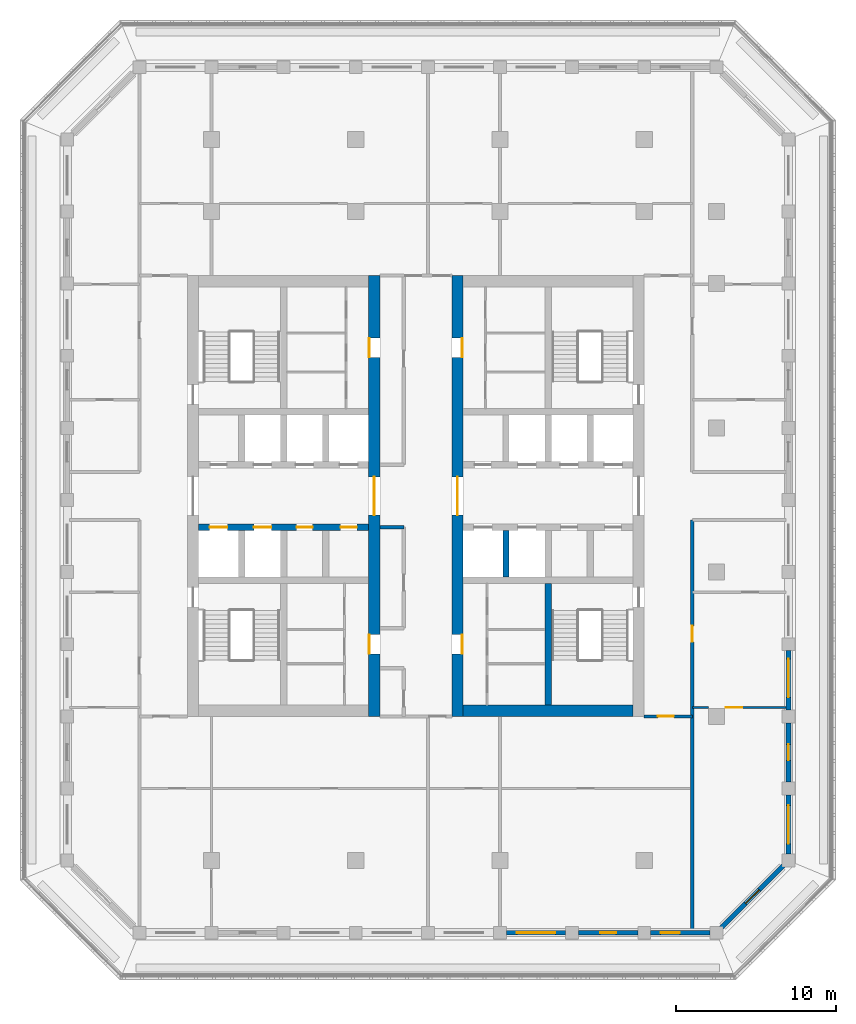
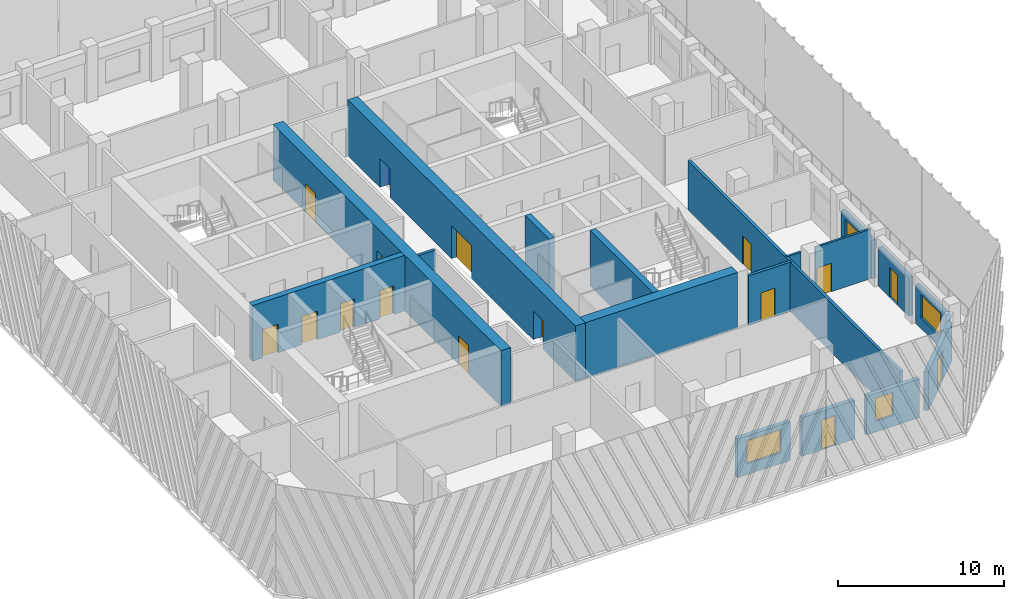
# One storey, part 4 of 17: 18 walls, 16 doors, 4 windows, 20 openings.
"""IFC4 building model written with IfcOpenShell, lengths in metres."""

from ifc_helpers import new_model, si_unit, direction, frame, frame_2d, origin, place, context, subcontext, project, spatial, rectangle, extrude, material, layer, layer_set, type_object, element, fill, save


model = new_model("IFC4")

# Units and contexts
model_context = context("Model", 3, precision=1e-05, world=origin(), true_north=direction((0.0, 1.0)))
body_context = subcontext(model_context, "Body", "Model", "MODEL_VIEW")
ifc_project = project(units=[si_unit("LENGTHUNIT", "METRE"), si_unit("AREAUNIT", "SQUARE_METRE"), si_unit("VOLUMEUNIT", "CUBIC_METRE"), si_unit("PLANEANGLEUNIT", "RADIAN"), si_unit("MASSUNIT", "GRAM", prefix="KILO")], contexts=[model_context])

# Site, building, storey
site_placement = place(None, origin())
site = spatial("IfcSite", under=ifc_project, at=site_placement, CompositionType="ELEMENT")
building_placement = place(site_placement, origin())
building = spatial("IfcBuilding", under=site, at=building_placement, Name="Corbel Stack Research Tower", CompositionType="ELEMENT")
storey_placement = place(building_placement, frame((0.0, 0.0, 248.0)))
storey = spatial("IfcBuildingStorey", under=building, at=storey_placement, Name="L56", CompositionType="ELEMENT", Elevation=248.0)

# Wall, openings, doors
ifc_material_1 = material(Name="Concrete C60/75", Category="concrete")
ifc_layer_1 = layer(ifc_material_1, 0.39990234375)
ifc_layer_set_1 = layer_set([ifc_layer_1], Name="Concrete C60/75")
wall_type_1 = type_object("IfcWallType", Name="CW-400-60", PredefinedType="SHEAR", material=ifc_layer_set_1)
wall_1_placement = place(storey_placement, frame((-9.800048828125, 2.800048828125, 0.0), z_axis=(0.0, 0.0, 1.0), x_axis=(1.0, 0.0, 0.0)))
wall_1 = element("IfcWall", 1, at=wall_1_placement, inside=storey, type_object=wall_type_1, Name="West core wall, lobby south L56", PredefinedType="SHEAR", context=body_context, shape_type="SweptSolid", body=[
    extrude(rectangle(XDim=10.60009765625, YDim=0.39990234375, at=frame_2d((5.300048828125, 0.0))), origin(), (0.0, 0.0, 1.0), 4.10009765625),
])
opening_1_placement = place(wall_1_placement, frame((0.6875, 0.0, 0.0)))
opening_1 = element("IfcOpeningElement", 2, at=opening_1_placement, cuts=wall_1, Name="Opening LD-FS1", PredefinedType="OPENING", context=body_context, shape_type="SweptSolid", body=[
    extrude(rectangle(XDim=1.10009765625, YDim=2.10009765625, at=frame_2d((0.550048828125, 1.050048828125))), frame((0.0, 0.2099609375, 0.0), z_axis=(0.0, -1.0, 0.0), x_axis=(1.0, 0.0, 0.0)), (0.0, 0.0, 1.0), 0.419921875),
])
opening_2_placement = place(wall_1_placement, frame((3.4375, 0.0, 0.0)))
opening_2 = element("IfcOpeningElement", 3, at=opening_2_placement, cuts=wall_1, Name="Opening LD-GL1", PredefinedType="OPENING", context=body_context, shape_type="SweptSolid", body=[
    extrude(rectangle(XDim=1.10009765625, YDim=2.10009765625, at=frame_2d((0.550048828125, 1.050048828125))), frame((0.0, 0.2099609375, 0.0), z_axis=(0.0, -1.0, 0.0), x_axis=(1.0, 0.0, 0.0)), (0.0, 0.0, 1.0), 0.419921875),
])
opening_3_placement = place(wall_1_placement, frame((6.112548828125, 0.0, 0.0)))
opening_3 = element("IfcOpeningElement", 4, at=opening_3_placement, cuts=wall_1, Name="Opening CR-W12-S3", PredefinedType="OPENING", context=body_context, shape_type="SweptSolid", body=[
    extrude(rectangle(XDim=1.0, YDim=2.10009765625, at=frame_2d((0.5, 1.050048828125))), frame((0.0, 0.2099609375, 0.0), z_axis=(0.0, -1.0, 0.0), x_axis=(1.0, 0.0, 0.0)), (0.0, 0.0, 1.0), 0.419921875),
])
opening_4_placement = place(wall_1_placement, frame((8.862548828125, 0.0, 0.0)))
opening_4 = element("IfcOpeningElement", 5, at=opening_4_placement, cuts=wall_1, Name="Opening CR-W12-S4", PredefinedType="OPENING", context=body_context, shape_type="SweptSolid", body=[
    extrude(rectangle(XDim=1.0, YDim=2.10009765625, at=frame_2d((0.5, 1.050048828125))), frame((0.0, 0.2099609375, 0.0), z_axis=(0.0, -1.0, 0.0), x_axis=(1.0, 0.0, 0.0)), (0.0, 0.0, 1.0), 0.419921875),
])
ifc_material_2 = material(Name="Stainless steel landing door", Category="steel")
door_type_1 = type_object("IfcDoorType", Name="Lift landing door 1100 x 2100", OperationType="DOUBLE_DOOR_SLIDING", PredefinedType="DOOR", material=ifc_material_2)
door_1_placement = place(opening_1_placement, origin())
door_1 = element("IfcDoor", 6, at=door_1_placement, inside=storey, type_object=door_type_1, Name="Landing door FS1", OperationType="DOUBLE_DOOR_SLIDING", OverallHeight=2.10009765625, OverallWidth=1.10009765625, PredefinedType="DOOR", context=body_context, shape_type="SweptSolid", body=[
    extrude(rectangle(XDim=1.10009765625, YDim=2.10009765625, at=frame_2d((0.550048828125, 1.050048828125))), frame((0.0, 0.02490234375, 0.0), z_axis=(0.0, -1.0, 0.0), x_axis=(1.0, 0.0, 0.0)), (0.0, 0.0, 1.0), 0.050048828125),
])
fill(opening_1, door_1)
door_2_placement = place(opening_2_placement, origin())
door_2 = element("IfcDoor", 7, at=door_2_placement, inside=storey, type_object=door_type_1, Name="Landing door GL1", OperationType="DOUBLE_DOOR_SLIDING", OverallHeight=2.10009765625, OverallWidth=1.10009765625, PredefinedType="DOOR", context=body_context, shape_type="SweptSolid", body=[
    extrude(rectangle(XDim=1.10009765625, YDim=2.10009765625, at=frame_2d((0.550048828125, 1.050048828125))), frame((0.0, 0.02490234375, 0.0), z_axis=(0.0, -1.0, 0.0), x_axis=(1.0, 0.0, 0.0)), (0.0, 0.0, 1.0), 0.050048828125),
])
fill(opening_2, door_2)
ifc_material_3 = material(Name="Painted steel door", Category="steel")
door_type_2 = type_object("IfcDoorType", Name="Service door 1000 x 2100 FD60 left hand", OperationType="SINGLE_SWING_LEFT", PredefinedType="DOOR", material=ifc_material_3)
door_3_placement = place(opening_3_placement, origin())
door_3 = element("IfcDoor", 8, at=door_3_placement, inside=storey, type_object=door_type_2, Name="Copy and supply store door W core", OperationType="SINGLE_SWING_LEFT", OverallHeight=2.10009765625, OverallWidth=1.0, PredefinedType="DOOR", context=body_context, shape_type="SweptSolid", body=[
    extrude(rectangle(XDim=1.0, YDim=2.10009765625, at=frame_2d((0.5, 1.050048828125))), frame((0.0, 0.02490234375, 0.0), z_axis=(0.0, -1.0, 0.0), x_axis=(1.0, 0.0, 0.0)), (0.0, 0.0, 1.0), 0.050048828125),
])
fill(opening_3, door_3)
ifc_material_4 = material(Name="Painted steel door", Category="steel")
door_type_3 = type_object("IfcDoorType", Name="Service door 1000 x 2100 FD60 right hand", OperationType="SINGLE_SWING_RIGHT", PredefinedType="DOOR", material=ifc_material_4)
door_4_placement = place(opening_4_placement, origin())
door_4 = element("IfcDoor", 9, at=door_4_placement, inside=storey, type_object=door_type_3, Name="Records store door W core", OperationType="SINGLE_SWING_RIGHT", OverallHeight=2.10009765625, OverallWidth=1.0, PredefinedType="DOOR", context=body_context, shape_type="SweptSolid", body=[
    extrude(rectangle(XDim=1.0, YDim=2.10009765625, at=frame_2d((0.5, 1.050048828125))), frame((0.0, 0.02490234375, 0.0), z_axis=(0.0, -1.0, 0.0), x_axis=(1.0, 0.0, 0.0)), (0.0, 0.0, 1.0), 0.050048828125),
])
fill(opening_4, door_4)

# Walls
wall_2_placement = place(storey_placement, frame((9.375, -0.300048828125, 0.0), z_axis=(0.0, 0.0, 1.0), x_axis=(0.0, 1.0, 0.0)))
element("IfcWall", 10, at=wall_2_placement, inside=storey, type_object=wall_type_1, Name="East core wall, south shaft 1 L56", PredefinedType="SHEAR", context=body_context, shape_type="SweptSolid", body=[
    extrude(rectangle(XDim=2.900146484375, YDim=0.39990234375, at=frame_2d((1.4501953125, 0.0))), origin(), (0.0, 0.0, 1.0), 4.10009765625),
])
wall_3_placement = place(storey_placement, frame((12.0, -8.300048828125, 0.0), z_axis=(0.0, 0.0, 1.0), x_axis=(0.0, 1.0, 0.0)))
element("IfcWall", 11, at=wall_3_placement, inside=storey, type_object=wall_type_1, Name="East core wall, south stair and WC L56", PredefinedType="SHEAR", context=body_context, shape_type="SweptSolid", body=[
    extrude(rectangle(XDim=7.60009765625, YDim=0.39990234375, at=frame_2d((3.800048828125, 0.0))), origin(), (0.0, 0.0, 1.0), 4.10009765625),
])

# Wall, openings, doors
ifc_material_5 = material(Name="Concrete C60/75", Category="concrete")
ifc_layer_2 = layer(ifc_material_5, 0.699951171875)
ifc_layer_set_2 = layer_set([ifc_layer_2], Name="Concrete C60/75")
wall_type_2 = type_object("IfcWallType", Name="CW-700-60", PredefinedType="SHEAR", material=ifc_layer_set_2)
wall_4_placement = place(storey_placement, frame((1.14990234375, -9.0, 0.0), z_axis=(0.0, 0.0, 1.0), x_axis=(0.0, 1.0, 0.0)))
wall_4 = element("IfcWall", 12, at=wall_4_placement, inside=storey, type_object=wall_type_2, Name="West core wall, east face L56", PredefinedType="SHEAR", context=body_context, shape_type="SweptSolid", body=[
    extrude(rectangle(XDim=27.5, YDim=0.699951171875, at=frame_2d((13.75, 0.0))), origin(), (0.0, 0.0, 1.0), 4.10009765625),
])
opening_5_placement = place(wall_4_placement, frame((12.550048828125, 0.0, 0.0)))
opening_5 = element("IfcOpeningElement", 13, at=opening_5_placement, cuts=wall_4, Name="Opening CD-W-E", PredefinedType="OPENING", context=body_context, shape_type="SweptSolid", body=[
    extrude(rectangle(XDim=2.39990234375, YDim=2.39990234375, at=frame_2d((1.199951171875, 1.199951171875))), frame((0.0, 0.35986328125, 0.0), z_axis=(0.0, -1.0, 0.0), x_axis=(1.0, 0.0, 0.0)), (0.0, 0.0, 1.0), 0.719970703125),
])
opening_6_placement = place(wall_4_placement, frame((3.89990234375, 0.0, 0.0)))
opening_6 = element("IfcOpeningElement", 14, at=opening_6_placement, cuts=wall_4, Name="Opening CR-W12-W1-1200", PredefinedType="OPENING", context=body_context, shape_type="SweptSolid", body=[
    extrude(rectangle(XDim=1.199951171875, YDim=2.10009765625, at=frame_2d((0.60009765625, 1.050048828125))), frame((0.0, 0.35986328125, 0.0), z_axis=(0.0, -1.0, 0.0), x_axis=(1.0, 0.0, 0.0)), (0.0, 0.0, 1.0), 0.719970703125),
])
opening_7_placement = place(wall_4_placement, frame((22.39990234375, 0.0, 0.0)))
opening_7 = element("IfcOpeningElement", 15, at=opening_7_placement, cuts=wall_4, Name="Opening CR-W12-R1-1200", PredefinedType="OPENING", context=body_context, shape_type="SweptSolid", body=[
    extrude(rectangle(XDim=1.199951171875, YDim=2.10009765625, at=frame_2d((0.60009765625, 1.050048828125))), frame((0.0, 0.35986328125, 0.0), z_axis=(0.0, -1.0, 0.0), x_axis=(1.0, 0.0, 0.0)), (0.0, 0.0, 1.0), 0.719970703125),
])
ifc_material_6 = material(Name="Painted steel fire door", Category="steel")
door_type_4 = type_object("IfcDoorType", Name="Lobby door pair 2400 x 2400 FD30S", OperationType="DOUBLE_DOOR_DOUBLE_SWING", PredefinedType="DOOR", material=ifc_material_6)
door_5_placement = place(opening_5_placement, origin())
door_5 = element("IfcDoor", 16, at=door_5_placement, inside=storey, type_object=door_type_4, Name="Lift lobby door W core E", OperationType="DOUBLE_DOOR_DOUBLE_SWING", OverallHeight=2.39990234375, OverallWidth=2.39990234375, PredefinedType="DOOR", context=body_context, shape_type="SweptSolid", body=[
    extrude(rectangle(XDim=2.39990234375, YDim=2.39990234375, at=frame_2d((1.199951171875, 1.199951171875))), frame((0.0, 0.02490234375, 0.0), z_axis=(0.0, -1.0, 0.0), x_axis=(1.0, 0.0, 0.0)), (0.0, 0.0, 1.0), 0.050048828125),
])
fill(opening_5, door_5)
ifc_material_7 = material(Name="Painted steel door", Category="steel")
door_type_5 = type_object("IfcDoorType", Name="Service door 1200 x 2100 FD30 left hand", OperationType="SINGLE_SWING_LEFT", PredefinedType="DOOR", material=ifc_material_7)
door_6_placement = place(opening_7_placement, origin())
door_6 = element("IfcDoor", 17, at=door_6_placement, inside=storey, type_object=door_type_5, Name="Service passage door W core", OperationType="SINGLE_SWING_LEFT", OverallHeight=2.10009765625, OverallWidth=1.199951171875, PredefinedType="DOOR", context=body_context, shape_type="SweptSolid", body=[
    extrude(rectangle(XDim=1.199951171875, YDim=2.10009765625, at=frame_2d((0.60009765625, 1.050048828125))), frame((0.0, 0.3251953125, 0.0), z_axis=(0.0, -1.0, 0.0), x_axis=(1.0, 0.0, 0.0)), (0.0, 0.0, 1.0), 0.050048828125),
])
fill(opening_7, door_6)
ifc_material_8 = material(Name="Painted timber door", Category="wood")
door_type_6 = type_object("IfcDoorType", Name="WC door 1200 x 2100 left hand", OperationType="SINGLE_SWING_LEFT", PredefinedType="DOOR", material=ifc_material_8)
door_7_placement = place(opening_6_placement, origin())
door_7 = element("IfcDoor", 18, at=door_7_placement, inside=storey, type_object=door_type_6, Name="WC lobby door W core", OperationType="SINGLE_SWING_LEFT", OverallHeight=2.10009765625, OverallWidth=1.199951171875, PredefinedType="DOOR", context=body_context, shape_type="SweptSolid", body=[
    extrude(rectangle(XDim=1.199951171875, YDim=2.10009765625, at=frame_2d((0.60009765625, 1.050048828125))), frame((0.0, 0.3251953125, 0.0), z_axis=(0.0, -1.0, 0.0), x_axis=(1.0, 0.0, 0.0)), (0.0, 0.0, 1.0), 0.050048828125),
])
fill(opening_6, door_7)

wall_5_placement = place(storey_placement, frame((6.35009765625, -9.0, 0.0), z_axis=(0.0, 0.0, 1.0), x_axis=(0.0, 1.0, 0.0)))
wall_5 = element("IfcWall", 19, at=wall_5_placement, inside=storey, type_object=wall_type_2, Name="East core wall, west face L56", PredefinedType="SHEAR", context=body_context, shape_type="SweptSolid", body=[
    extrude(rectangle(XDim=27.5, YDim=0.699951171875, at=frame_2d((13.75, 0.0))), origin(), (0.0, 0.0, 1.0), 4.10009765625),
])
opening_8_placement = place(wall_5_placement, frame((12.550048828125, 0.0, 0.0)))
opening_8 = element("IfcOpeningElement", 20, at=opening_8_placement, cuts=wall_5, Name="Opening CD-E-W", PredefinedType="OPENING", context=body_context, shape_type="SweptSolid", body=[
    extrude(rectangle(XDim=2.39990234375, YDim=2.39990234375, at=frame_2d((1.199951171875, 1.199951171875))), frame((0.0, 0.35986328125, 0.0), z_axis=(0.0, -1.0, 0.0), x_axis=(1.0, 0.0, 0.0)), (0.0, 0.0, 1.0), 0.719970703125),
])
opening_9_placement = place(wall_5_placement, frame((3.89990234375, 0.0, 0.0)))
opening_9 = element("IfcOpeningElement", 21, at=opening_9_placement, cuts=wall_5, Name="Opening CR-E12-W1-1200", PredefinedType="OPENING", context=body_context, shape_type="SweptSolid", body=[
    extrude(rectangle(XDim=1.199951171875, YDim=2.10009765625, at=frame_2d((0.60009765625, 1.050048828125))), frame((0.0, 0.35986328125, 0.0), z_axis=(0.0, -1.0, 0.0), x_axis=(1.0, 0.0, 0.0)), (0.0, 0.0, 1.0), 0.719970703125),
])
opening_10_placement = place(wall_5_placement, frame((22.39990234375, 0.0, 0.0)))
opening_10 = element("IfcOpeningElement", 22, at=opening_10_placement, cuts=wall_5, Name="Opening CR-E12-R1-1200", PredefinedType="OPENING", context=body_context, shape_type="SweptSolid", body=[
    extrude(rectangle(XDim=1.199951171875, YDim=2.10009765625, at=frame_2d((0.60009765625, 1.050048828125))), frame((0.0, 0.35986328125, 0.0), z_axis=(0.0, -1.0, 0.0), x_axis=(1.0, 0.0, 0.0)), (0.0, 0.0, 1.0), 0.719970703125),
])
door_8_placement = place(opening_8_placement, origin())
door_8 = element("IfcDoor", 23, at=door_8_placement, inside=storey, type_object=door_type_4, Name="Lift lobby door E core W", OperationType="DOUBLE_DOOR_DOUBLE_SWING", OverallHeight=2.39990234375, OverallWidth=2.39990234375, PredefinedType="DOOR", context=body_context, shape_type="SweptSolid", body=[
    extrude(rectangle(XDim=2.39990234375, YDim=2.39990234375, at=frame_2d((1.199951171875, 1.199951171875))), frame((0.0, 0.02490234375, 0.0), z_axis=(0.0, -1.0, 0.0), x_axis=(1.0, 0.0, 0.0)), (0.0, 0.0, 1.0), 0.050048828125),
])
fill(opening_8, door_8)
ifc_material_9 = material(Name="Painted steel door", Category="steel")
door_type_7 = type_object("IfcDoorType", Name="Service door 1200 x 2100 FD30 right hand", OperationType="SINGLE_SWING_RIGHT", PredefinedType="DOOR", material=ifc_material_9)
door_9_placement = place(opening_10_placement, origin())
door_9 = element("IfcDoor", 24, at=door_9_placement, inside=storey, type_object=door_type_7, Name="Service passage door E core", OperationType="SINGLE_SWING_RIGHT", OverallHeight=2.10009765625, OverallWidth=1.199951171875, PredefinedType="DOOR", context=body_context, shape_type="SweptSolid", body=[
    extrude(rectangle(XDim=1.199951171875, YDim=2.10009765625, at=frame_2d((0.60009765625, 1.050048828125))), frame((0.0, -0.27490234375, 0.0), z_axis=(0.0, -1.0, 0.0), x_axis=(1.0, 0.0, 0.0)), (0.0, 0.0, 1.0), 0.050048828125),
])
fill(opening_10, door_9)
ifc_material_10 = material(Name="Painted timber door", Category="wood")
door_type_8 = type_object("IfcDoorType", Name="WC door 1200 x 2100 right hand", OperationType="SINGLE_SWING_RIGHT", PredefinedType="DOOR", material=ifc_material_10)
door_10_placement = place(opening_9_placement, origin())
door_10 = element("IfcDoor", 25, at=door_10_placement, inside=storey, type_object=door_type_8, Name="WC lobby door E core", OperationType="SINGLE_SWING_RIGHT", OverallHeight=2.10009765625, OverallWidth=1.199951171875, PredefinedType="DOOR", context=body_context, shape_type="SweptSolid", body=[
    extrude(rectangle(XDim=1.199951171875, YDim=2.10009765625, at=frame_2d((0.60009765625, 1.050048828125))), frame((0.0, -0.27490234375, 0.0), z_axis=(0.0, -1.0, 0.0), x_axis=(1.0, 0.0, 0.0)), (0.0, 0.0, 1.0), 0.050048828125),
])
fill(opening_9, door_10)

# Wall
wall_6_placement = place(storey_placement, frame((6.699951171875, -8.64990234375, 0.0), z_axis=(0.0, 0.0, 1.0), x_axis=(1.0, 0.0, 0.0)))
element("IfcWall", 26, at=wall_6_placement, inside=storey, type_object=wall_type_2, Name="East core wall, south end L56", PredefinedType="SHEAR", context=body_context, shape_type="SweptSolid", body=[
    extrude(rectangle(XDim=10.60009765625, YDim=0.699951171875, at=frame_2d((5.300048828125, 0.0))), origin(), (0.0, 0.0, 1.0), 4.10009765625),
])

# Wall, opening, door
ifc_material_11 = material(Name="Fire-rated gypsum board partition on steel studs", Category="steel")
ifc_layer_3 = layer(ifc_material_11, 0.199951171875)
ifc_layer_set_3 = layer_set([ifc_layer_3], Name="Fire-rated gypsum board partition on steel studs")
wall_type_3 = type_object("IfcWallType", Name="Fire-rated partition 200 EI 60", PredefinedType="PARTITIONING", material=ifc_layer_set_3)
wall_7_placement = place(storey_placement, frame((21.0, 3.25, 0.0), z_axis=(0.0, 0.0, 1.0), x_axis=(0.0, -1.0, 0.0)))
wall_7 = element("IfcWall", 27, at=wall_7_placement, inside=storey, type_object=wall_type_3, Name="Partition L56-018", PredefinedType="PARTITIONING", context=body_context, shape_type="SweptSolid", body=[
    extrude(rectangle(XDim=25.60009765625, YDim=0.199951171875, at=frame_2d((12.800048828125, 0.0))), origin(), (0.0, 0.0, 1.0), 3.64990234375),
])
opening_11_placement = place(wall_7_placement, frame((6.60009765625, 0.0, 0.0)))
opening_11 = element("IfcOpeningElement", 28, at=opening_11_placement, cuts=wall_7, Name="Opening B7V1-026", PredefinedType="OPENING", context=body_context, shape_type="SweptSolid", body=[
    extrude(rectangle(XDim=1.0, YDim=2.10009765625, at=frame_2d((0.5, 1.050048828125))), frame((0.0, 0.10986328125, 0.0), z_axis=(0.0, -1.0, 0.0), x_axis=(1.0, 0.0, 0.0)), (0.0, 0.0, 1.0), 0.219970703125),
])
ifc_material_12 = material(Name="Painted steel fire door", Category="steel")
door_type_9 = type_object("IfcDoorType", Name="Fire door FD30S 1000 x 2100", OperationType="NOTDEFINED", PredefinedType="DOOR", material=ifc_material_12)
door_11_placement = place(opening_11_placement, origin())
door_11 = element("IfcDoor", 29, at=door_11_placement, inside=storey, type_object=door_type_9, Name="Door B7V1-026", OperationType="SINGLE_SWING_LEFT", OverallHeight=2.10009765625, OverallWidth=1.0, PredefinedType="DOOR", context=body_context, shape_type="SweptSolid", body=[
    extrude(rectangle(XDim=1.0, YDim=2.10009765625, at=frame_2d((0.5, 1.050048828125))), frame((0.0, 0.02490234375, 0.0), z_axis=(0.0, -1.0, 0.0), x_axis=(1.0, 0.0, 0.0)), (0.0, 0.0, 1.0), 0.050048828125),
])
fill(opening_11, door_11)

wall_8_placement = place(storey_placement, frame((21.0, -9.0, 0.0), z_axis=(0.0, 0.0, 1.0), x_axis=(-1.0, 0.0, 0.0)))
wall_8 = element("IfcWall", 30, at=wall_8_placement, inside=storey, type_object=wall_type_3, Name="Partition L56-023", PredefinedType="PARTITIONING", context=body_context, shape_type="SweptSolid", body=[
    extrude(rectangle(XDim=3.0, YDim=0.199951171875, at=frame_2d((1.5, 0.0))), origin(), (0.0, 0.0, 1.0), 3.64990234375),
])
opening_12_placement = place(wall_8_placement, frame((1.14990234375, 0.0, 0.0)))
opening_12 = element("IfcOpeningElement", 31, at=opening_12_placement, cuts=wall_8, Name="Opening B7V1-010", PredefinedType="OPENING", context=body_context, shape_type="SweptSolid", body=[
    extrude(rectangle(XDim=1.0, YDim=2.10009765625, at=frame_2d((0.5, 1.050048828125))), frame((0.0, 0.10986328125, 0.0), z_axis=(0.0, -1.0, 0.0), x_axis=(1.0, 0.0, 0.0)), (0.0, 0.0, 1.0), 0.219970703125),
])
door_12_placement = place(opening_12_placement, origin())
door_12 = element("IfcDoor", 32, at=door_12_placement, inside=storey, type_object=door_type_9, Name="Door B7V1-010", OperationType="SINGLE_SWING_RIGHT", OverallHeight=2.10009765625, OverallWidth=1.0, PredefinedType="DOOR", context=body_context, shape_type="SweptSolid", body=[
    extrude(rectangle(XDim=1.0, YDim=2.10009765625, at=frame_2d((0.5, 1.050048828125))), frame((0.0, 0.02490234375, 0.0), z_axis=(0.0, -1.0, 0.0), x_axis=(1.0, 0.0, 0.0)), (0.0, 0.0, 1.0), 0.050048828125),
])
fill(opening_12, door_12)

# Walls
wall_9_placement = place(storey_placement, frame((1.5, 2.800048828125, 0.0), z_axis=(0.0, 0.0, 1.0), x_axis=(1.0, 0.0, 0.0)))
element("IfcWall", 33, at=wall_9_placement, inside=storey, type_object=wall_type_3, Name="Partition L56-031", PredefinedType="PARTITIONING", context=body_context, shape_type="SweptSolid", body=[
    extrude(rectangle(XDim=1.5, YDim=0.199951171875, at=frame_2d((0.75, 0.0))), origin(), (0.0, 0.0, 1.0), 3.64990234375),
])
ifc_material_13 = material(Name="Gypsum board partition on steel studs", Category="steel")
ifc_layer_4 = layer(ifc_material_13, 0.14990234375)
ifc_layer_set_4 = layer_set([ifc_layer_4], Name="Gypsum board partition on steel studs")
wall_type_4 = type_object("IfcWallType", Name="Partition 150", PredefinedType="PARTITIONING", material=ifc_layer_set_4)
wall_10_placement = place(storey_placement, frame((21.0, -8.449951171875, 0.0), z_axis=(0.0, 0.0, 1.0), x_axis=(1.0, 0.0, 0.0)))
element("IfcWall", 34, at=wall_10_placement, inside=storey, type_object=wall_type_4, Name="Partition L56-025", PredefinedType="PARTITIONING", context=body_context, shape_type="SweptSolid", body=[
    extrude(rectangle(XDim=1.0, YDim=0.14990234375, at=frame_2d((0.5, 0.0))), origin(), (0.0, 0.0, 1.0), 3.64990234375),
])

# Wall, opening, door
wall_11_placement = place(storey_placement, frame((26.85009765625, -8.449951171875, 0.0), z_axis=(0.0, 0.0, 1.0), x_axis=(-1.0, 0.0, 0.0)))
wall_11 = element("IfcWall", 35, at=wall_11_placement, inside=storey, type_object=wall_type_4, Name="Partition L56-026", PredefinedType="PARTITIONING", context=body_context, shape_type="SweptSolid", body=[
    extrude(rectangle(XDim=3.85009765625, YDim=0.14990234375, at=frame_2d((1.925048828125, 0.0))), origin(), (0.0, 0.0, 1.0), 3.64990234375),
])
opening_13_placement = place(wall_11_placement, frame((2.75, 0.0, 0.0)))
opening_13 = element("IfcOpeningElement", 36, at=opening_13_placement, cuts=wall_11, Name="Opening B7V1-012", PredefinedType="OPENING", context=body_context, shape_type="SweptSolid", body=[
    extrude(rectangle(XDim=1.0, YDim=2.10009765625, at=frame_2d((0.5, 1.050048828125))), frame((0.0, 0.0849609375, 0.0), z_axis=(0.0, -1.0, 0.0), x_axis=(1.0, 0.0, 0.0)), (0.0, 0.0, 1.0), 0.169921875),
])
ifc_material_14 = material(Name="Painted timber door", Category="wood")
door_type_10 = type_object("IfcDoorType", Name="Single door 1000 x 2100", OperationType="NOTDEFINED", PredefinedType="DOOR", material=ifc_material_14)
door_13_placement = place(opening_13_placement, origin())
door_13 = element("IfcDoor", 37, at=door_13_placement, inside=storey, type_object=door_type_10, Name="Door B7V1-012", OperationType="SINGLE_SWING_RIGHT", OverallHeight=2.10009765625, OverallWidth=1.0, PredefinedType="DOOR", context=body_context, shape_type="SweptSolid", body=[
    extrude(rectangle(XDim=1.0, YDim=2.10009765625, at=frame_2d((0.5, 1.050048828125))), frame((0.0, 0.02490234375, 0.0), z_axis=(0.0, -1.0, 0.0), x_axis=(1.0, 0.0, 0.0)), (0.0, 0.0, 1.0), 0.050048828125),
])
fill(opening_13, door_13)

# Wall, opening, window
ifc_material_15 = material(Name="Concrete C45/55", Category="concrete")
ifc_layer_5 = layer(ifc_material_15, 0.300048828125)
ifc_layer_set_5 = layer_set([ifc_layer_5], Name="Concrete C45/55")
wall_type_5 = type_object("IfcWallType", Name="Terracotta-faced concrete wall 300", PredefinedType="SOLIDWALL", material=ifc_layer_set_5)
wall_12_placement = place(storey_placement, frame((13.10009765625, -22.5, 0.0), z_axis=(0.0, 0.0, 1.0), x_axis=(-1.0, 0.0, 0.0)))
wall_12 = element("IfcWall", 38, at=wall_12_placement, inside=storey, type_object=wall_type_5, Name="Facade wall L56 S06", PredefinedType="SOLIDWALL", context=body_context, shape_type="SweptSolid", body=[
    extrude(rectangle(XDim=3.7001953125, YDim=0.300048828125, at=frame_2d((1.85009765625, 0.0))), origin(), (0.0, 0.0, 1.0), 2.85009765625),
])
opening_14_placement = place(wall_12_placement, frame((0.64990234375, 0.0, 0.800048828125)))
opening_14 = element("IfcOpeningElement", 39, at=opening_14_placement, cuts=wall_12, Name="Opening W1", PredefinedType="OPENING", context=body_context, shape_type="SweptSolid", body=[
    extrude(rectangle(XDim=2.39990234375, YDim=1.699951171875, at=frame_2d((1.199951171875, 0.85009765625))), frame((0.0, 0.159912109375, 0.0), z_axis=(0.0, -1.0, 0.0), x_axis=(1.0, 0.0, 0.0)), (0.0, 0.0, 1.0), 0.320068359375),
])
ifc_material_16 = material(Name="Aluminium frame, clear double glazing", Category="aluminium")
window_type_1 = type_object("IfcWindowType", Name="Window W1 2400 x 1700", PartitioningType="SINGLE_PANEL", PredefinedType="WINDOW", material=ifc_material_16)
window_1_placement = place(opening_14_placement, origin())
window_1 = element("IfcWindow", 40, at=window_1_placement, inside=storey, type_object=window_type_1, Name="Window W1 L56 S06", OverallHeight=1.699951171875, OverallWidth=2.39990234375, PartitioningType="SINGLE_PANEL", PredefinedType="WINDOW", context=body_context, shape_type="SweptSolid", body=[
    extrude(rectangle(XDim=2.39990234375, YDim=1.699951171875, at=frame_2d((1.199951171875, 0.85009765625))), frame((0.0, 0.030029296875, 0.0), z_axis=(0.0, -1.0, 0.0), x_axis=(1.0, 0.0, 0.0)), (0.0, 0.0, 1.0), 0.06005859375),
])
fill(opening_14, window_1)

# Wall, opening, door
wall_13_placement = place(storey_placement, frame((17.60009765625, -22.5, 0.0), z_axis=(0.0, 0.0, 1.0), x_axis=(-1.0, 0.0, 0.0)))
wall_13 = element("IfcWall", 41, at=wall_13_placement, inside=storey, type_object=wall_type_5, Name="Facade wall L56 S07", PredefinedType="SOLIDWALL", context=body_context, shape_type="SweptSolid", body=[
    extrude(rectangle(XDim=3.7001953125, YDim=0.300048828125, at=frame_2d((1.85009765625, 0.0))), origin(), (0.0, 0.0, 1.0), 2.85009765625),
])
opening_15_placement = place(wall_13_placement, frame((1.35009765625, 0.0, 0.0)))
opening_15 = element("IfcOpeningElement", 42, at=opening_15_placement, cuts=wall_13, Name="Opening L56-B02", PredefinedType="OPENING", context=body_context, shape_type="SweptSolid", body=[
    extrude(rectangle(XDim=1.0, YDim=2.199951171875, at=frame_2d((0.5, 1.10009765625))), frame((0.0, 0.159912109375, 0.0), z_axis=(0.0, -1.0, 0.0), x_axis=(1.0, 0.0, 0.0)), (0.0, 0.0, 1.0), 0.320068359375),
])
ifc_material_17 = material(Name="Aluminium frame, clear double glazing", Category="aluminium")
door_type_11 = type_object("IfcDoorType", Name="Balcony door BD1 1000 x 2200", OperationType="NOTDEFINED", PredefinedType="DOOR", material=ifc_material_17)
door_14_placement = place(opening_15_placement, origin())
door_14 = element("IfcDoor", 43, at=door_14_placement, inside=storey, type_object=door_type_11, Name="Balcony door L56-B02", OperationType="SINGLE_SWING_LEFT", OverallHeight=2.199951171875, OverallWidth=1.0, PredefinedType="DOOR", context=body_context, shape_type="SweptSolid", body=[
    extrude(rectangle(XDim=1.0, YDim=2.199951171875, at=frame_2d((0.5, 1.10009765625))), frame((0.0, 0.02490234375, 0.0), z_axis=(0.0, -1.0, 0.0), x_axis=(1.0, 0.0, 0.0)), (0.0, 0.0, 1.0), 0.050048828125),
])
fill(opening_15, door_14)

# Wall, opening, window
wall_14_placement = place(storey_placement, frame((22.10009765625, -22.5, 0.0), z_axis=(0.0, 0.0, 1.0), x_axis=(-1.0, 0.0, 0.0)))
wall_14 = element("IfcWall", 44, at=wall_14_placement, inside=storey, type_object=wall_type_5, Name="Facade wall L56 S08", PredefinedType="SOLIDWALL", context=body_context, shape_type="SweptSolid", body=[
    extrude(rectangle(XDim=3.7001953125, YDim=0.300048828125, at=frame_2d((1.85009765625, 0.0))), origin(), (0.0, 0.0, 1.0), 2.85009765625),
])
opening_16_placement = place(wall_14_placement, frame((1.875, 0.0, 0.800048828125)))
opening_16 = element("IfcOpeningElement", 45, at=opening_16_placement, cuts=wall_14, Name="Opening W2", PredefinedType="OPENING", context=body_context, shape_type="SweptSolid", body=[
    extrude(rectangle(XDim=1.199951171875, YDim=1.699951171875, at=frame_2d((0.60009765625, 0.85009765625))), frame((0.0, 0.159912109375, 0.0), z_axis=(0.0, -1.0, 0.0), x_axis=(1.0, 0.0, 0.0)), (0.0, 0.0, 1.0), 0.320068359375),
])
ifc_material_18 = material(Name="Aluminium frame, clear double glazing", Category="aluminium")
window_type_2 = type_object("IfcWindowType", Name="Window W2 1200 x 1700", PartitioningType="SINGLE_PANEL", PredefinedType="WINDOW", material=ifc_material_18)
window_2_placement = place(opening_16_placement, origin())
window_2 = element("IfcWindow", 46, at=window_2_placement, inside=storey, type_object=window_type_2, Name="Window W2 L56 S08", OverallHeight=1.699951171875, OverallWidth=1.199951171875, PartitioningType="SINGLE_PANEL", PredefinedType="WINDOW", context=body_context, shape_type="SweptSolid", body=[
    extrude(rectangle(XDim=1.199951171875, YDim=1.699951171875, at=frame_2d((0.60009765625, 0.85009765625))), frame((0.0, 0.030029296875, 0.0), z_axis=(0.0, -1.0, 0.0), x_axis=(1.0, 0.0, 0.0)), (0.0, 0.0, 1.0), 0.06005859375),
])
fill(opening_16, window_2)

# Wall, opening, door
wall_15_placement = place(storey_placement, frame((26.7060546875, -18.2939453125, 0.0), z_axis=(0.0, 0.0, 1.0), x_axis=(-0.707106781187, -0.707106781187, 0.0)))
wall_15 = element("IfcWall", 47, at=wall_15_placement, inside=storey, type_object=wall_type_5, Name="Facade wall L56 SE01", PredefinedType="SOLIDWALL", context=body_context, shape_type="SweptSolid", body=[
    extrude(rectangle(XDim=5.532470703125, YDim=0.300048828125, at=frame_2d((2.76611328125, 0.0))), origin(), (0.0, 0.0, 1.0), 2.85009765625),
])
opening_17_placement = place(wall_15_placement, frame((2.166259765625, 0.0, 0.0)))
opening_17 = element("IfcOpeningElement", 48, at=opening_17_placement, cuts=wall_15, Name="Opening L56-B03", PredefinedType="OPENING", context=body_context, shape_type="SweptSolid", body=[
    extrude(rectangle(XDim=1.199951171875, YDim=2.199951171875, at=frame_2d((0.60009765625, 1.10009765625))), frame((0.0, 0.159912109375, 0.0), z_axis=(0.0, -1.0, 0.0), x_axis=(1.0, 0.0, 0.0)), (0.0, 0.0, 1.0), 0.320068359375),
])
ifc_material_19 = material(Name="Aluminium frame, clear double glazing", Category="aluminium")
door_type_12 = type_object("IfcDoorType", Name="Balcony door BD2 1200 x 2200", OperationType="NOTDEFINED", PredefinedType="DOOR", material=ifc_material_19)
door_15_placement = place(opening_17_placement, origin())
door_15 = element("IfcDoor", 49, at=door_15_placement, inside=storey, type_object=door_type_12, Name="Balcony door L56-B03", OperationType="SINGLE_SWING_LEFT", OverallHeight=2.199951171875, OverallWidth=1.199951171875, PredefinedType="DOOR", context=body_context, shape_type="SweptSolid", body=[
    extrude(rectangle(XDim=1.199951171875, YDim=2.199951171875, at=frame_2d((0.60009765625, 1.10009765625))), frame((0.0, 0.02490234375, 0.0), z_axis=(0.0, -1.0, 0.0), x_axis=(1.0, 0.0, 0.0)), (0.0, 0.0, 1.0), 0.050048828125),
])
fill(opening_17, door_15)

# Wall, opening, window
wall_16_placement = place(storey_placement, frame((27.0, -13.89990234375, 0.0), z_axis=(0.0, 0.0, 1.0), x_axis=(0.0, -1.0, 0.0)))
wall_16 = element("IfcWall", 50, at=wall_16_placement, inside=storey, type_object=wall_type_5, Name="Facade wall L56 E01", PredefinedType="SOLIDWALL", context=body_context, shape_type="SweptSolid", body=[
    extrude(rectangle(XDim=3.7001953125, YDim=0.300048828125, at=frame_2d((1.85009765625, 0.0))), origin(), (0.0, 0.0, 1.0), 2.85009765625),
])
opening_18_placement = place(wall_16_placement, frame((0.64990234375, 0.0, 0.800048828125)))
opening_18 = element("IfcOpeningElement", 51, at=opening_18_placement, cuts=wall_16, Name="Opening W1", PredefinedType="OPENING", context=body_context, shape_type="SweptSolid", body=[
    extrude(rectangle(XDim=2.39990234375, YDim=1.699951171875, at=frame_2d((1.199951171875, 0.85009765625))), frame((0.0, 0.159912109375, 0.0), z_axis=(0.0, -1.0, 0.0), x_axis=(1.0, 0.0, 0.0)), (0.0, 0.0, 1.0), 0.320068359375),
])
window_3_placement = place(opening_18_placement, origin())
window_3 = element("IfcWindow", 52, at=window_3_placement, inside=storey, type_object=window_type_1, Name="Window W1 L56 E01", OverallHeight=1.699951171875, OverallWidth=2.39990234375, PartitioningType="SINGLE_PANEL", PredefinedType="WINDOW", context=body_context, shape_type="SweptSolid", body=[
    extrude(rectangle(XDim=2.39990234375, YDim=1.699951171875, at=frame_2d((1.199951171875, 0.85009765625))), frame((0.0, 0.030029296875, 0.0), z_axis=(0.0, -1.0, 0.0), x_axis=(1.0, 0.0, 0.0)), (0.0, 0.0, 1.0), 0.06005859375),
])
fill(opening_18, window_3)

# Wall, opening, door
wall_17_placement = place(storey_placement, frame((27.0, -9.39990234375, 0.0), z_axis=(0.0, 0.0, 1.0), x_axis=(0.0, -1.0, 0.0)))
wall_17 = element("IfcWall", 53, at=wall_17_placement, inside=storey, type_object=wall_type_5, Name="Facade wall L56 E02", PredefinedType="SOLIDWALL", context=body_context, shape_type="SweptSolid", body=[
    extrude(rectangle(XDim=3.7001953125, YDim=0.300048828125, at=frame_2d((1.85009765625, 0.0))), origin(), (0.0, 0.0, 1.0), 2.85009765625),
])
opening_19_placement = place(wall_17_placement, frame((1.35009765625, 0.0, 0.0)))
opening_19 = element("IfcOpeningElement", 54, at=opening_19_placement, cuts=wall_17, Name="Opening L56-B04", PredefinedType="OPENING", context=body_context, shape_type="SweptSolid", body=[
    extrude(rectangle(XDim=1.0, YDim=2.199951171875, at=frame_2d((0.5, 1.10009765625))), frame((0.0, 0.159912109375, 0.0), z_axis=(0.0, -1.0, 0.0), x_axis=(1.0, 0.0, 0.0)), (0.0, 0.0, 1.0), 0.320068359375),
])
door_16_placement = place(opening_19_placement, origin())
door_16 = element("IfcDoor", 55, at=door_16_placement, inside=storey, type_object=door_type_11, Name="Balcony door L56-B04", OperationType="SINGLE_SWING_RIGHT", OverallHeight=2.199951171875, OverallWidth=1.0, PredefinedType="DOOR", context=body_context, shape_type="SweptSolid", body=[
    extrude(rectangle(XDim=1.0, YDim=2.199951171875, at=frame_2d((0.5, 1.10009765625))), frame((0.0, 0.02490234375, 0.0), z_axis=(0.0, -1.0, 0.0), x_axis=(1.0, 0.0, 0.0)), (0.0, 0.0, 1.0), 0.050048828125),
])
fill(opening_19, door_16)

# Wall, opening, window
wall_18_placement = place(storey_placement, frame((27.0, -4.89990234375, 0.0), z_axis=(0.0, 0.0, 1.0), x_axis=(0.0, -1.0, 0.0)))
wall_18 = element("IfcWall", 56, at=wall_18_placement, inside=storey, type_object=wall_type_5, Name="Facade wall L56 E03", PredefinedType="SOLIDWALL", context=body_context, shape_type="SweptSolid", body=[
    extrude(rectangle(XDim=3.7001953125, YDim=0.300048828125, at=frame_2d((1.85009765625, 0.0))), origin(), (0.0, 0.0, 1.0), 2.85009765625),
])
opening_20_placement = place(wall_18_placement, frame((0.512451171875, 0.0, 0.800048828125)))
opening_20 = element("IfcOpeningElement", 57, at=opening_20_placement, cuts=wall_18, Name="Opening W1", PredefinedType="OPENING", context=body_context, shape_type="SweptSolid", body=[
    extrude(rectangle(XDim=2.39990234375, YDim=1.699951171875, at=frame_2d((1.199951171875, 0.85009765625))), frame((0.0, 0.159912109375, 0.0), z_axis=(0.0, -1.0, 0.0), x_axis=(1.0, 0.0, 0.0)), (0.0, 0.0, 1.0), 0.320068359375),
])
window_4_placement = place(opening_20_placement, origin())
window_4 = element("IfcWindow", 58, at=window_4_placement, inside=storey, type_object=window_type_1, Name="Window W1 L56 E03", OverallHeight=1.699951171875, OverallWidth=2.39990234375, PartitioningType="SINGLE_PANEL", PredefinedType="WINDOW", context=body_context, shape_type="SweptSolid", body=[
    extrude(rectangle(XDim=2.39990234375, YDim=1.699951171875, at=frame_2d((1.199951171875, 0.85009765625))), frame((0.0, 0.030029296875, 0.0), z_axis=(0.0, -1.0, 0.0), x_axis=(1.0, 0.0, 0.0)), (0.0, 0.0, 1.0), 0.06005859375),
])
fill(opening_20, window_4)

save(model, "model.ifc")
